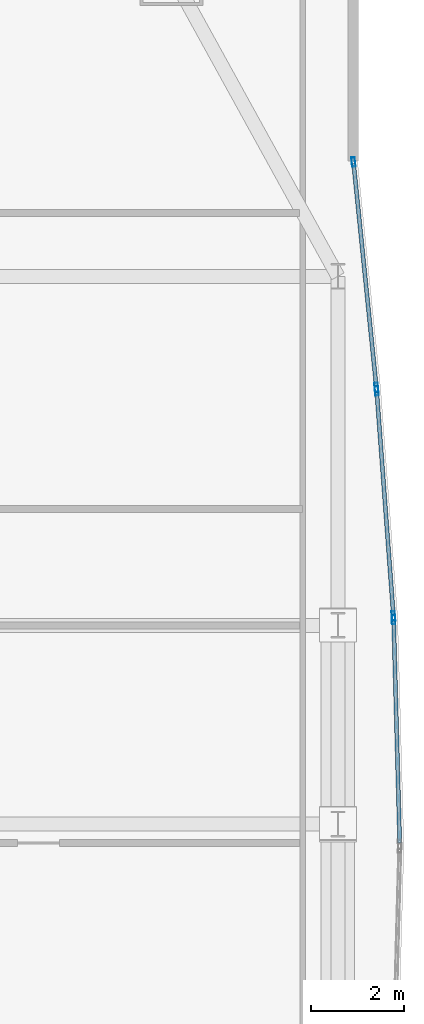
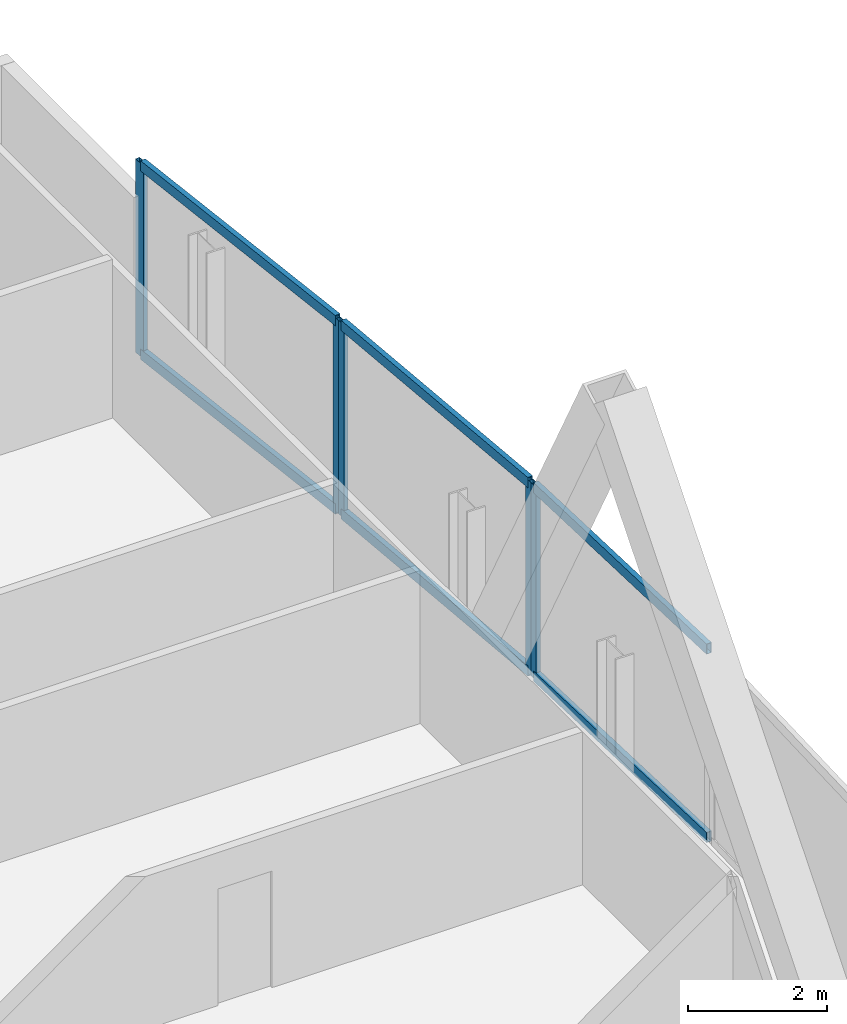
# One storey, part 22 of 29: 11 members, 3 elements without a shape of their own.
"""IFC4 building model written with IfcOpenShell, lengths in metres."""

from ifc_helpers import new_model, si_unit, direction, frame, origin, origin_2d, place, context, subcontext, project, spatial, hollow_rectangle, extrude, material, material_profile, profile_set, type_object, element, aggregate, save


model = new_model("IFC4")

# Units and contexts
model_context = context("Model", 3, precision=1e-05, world=origin(), true_north=direction((0.0, 1.0)))
body_context = subcontext(model_context, "Body", "Model", "MODEL_VIEW")
ifc_project = project(units=[si_unit("LENGTHUNIT", "METRE"), si_unit("AREAUNIT", "SQUARE_METRE"), si_unit("VOLUMEUNIT", "CUBIC_METRE"), si_unit("PLANEANGLEUNIT", "RADIAN"), si_unit("MASSUNIT", "GRAM", prefix="KILO")], contexts=[model_context])

# Site, building, storey
site_placement = place(None, origin())
site = spatial("IfcSite", under=ifc_project, at=site_placement, CompositionType="ELEMENT")
building_placement = place(site_placement, origin())
building = spatial("IfcBuilding", under=site, at=building_placement, Name="Khoronbel Lancet Exchange", CompositionType="ELEMENT")
storey_placement = place(building_placement, frame((0.0, 0.0, 180.60009765625)))
storey = spatial("IfcBuildingStorey", under=building, at=storey_placement, Name="L45", CompositionType="ELEMENT", Elevation=180.60009765625)

# Curtain wall, members
ifc_material_1 = material(Name="Low-E Solar Control Insulating Glass", Category="glass")
curtain_wall_type = type_object("IfcCurtainWallType", Name="CW-4", PredefinedType="NOTDEFINED", material=ifc_material_1)
curtain_wall_1_placement = place(storey_placement, origin())
curtain_wall_1 = element("IfcCurtainWall", 1, at=curtain_wall_1_placement, inside=storey, type_object=curtain_wall_type, Name="Unitised curtain wall CW-L45-E17", PredefinedType="NOTDEFINED")
ifc_material_2 = material(Name="Bronze-Anodised Aluminium 6063-T6", Category="aluminium")
ifc_material_profile_1 = material_profile(ifc_material_2, hollow_rectangle(XDim=0.074951171875, YDim=0.199951171875, WallThickness=0.0048828125, at=origin_2d()), Name="ALU MULLION 75x200")
ifc_profile_set_1 = profile_set([ifc_material_profile_1], Name="Bronze-Anodised Aluminium 6063-T6")
member_type_1 = type_object("IfcMemberType", Name="MEM-CWM2", PredefinedType="MULLION", material=ifc_profile_set_1)
member_1_placement = place(storey_placement, frame((67.9638671875, 45.658203125, 0.0), z_axis=(0.0, 0.0, 1.0), x_axis=(0.994869630688, 0.101165300055, 0.0)))
member_1 = element("IfcMember", 2, at=member_1_placement, type_object=member_type_1, Name="CW4 mullion 1", PredefinedType="MULLION", context=body_context, shape_type="SweptSolid", body=[
    extrude(hollow_rectangle(XDim=0.074951171875, YDim=0.199951171875, WallThickness=0.0048828125, at=origin_2d()), origin(), (0.0, 0.0, 1.0), 3.39990234375),
])
member_2_placement = place(storey_placement, frame((68.45654296875, 40.812744140625, 0.0), z_axis=(0.0, 0.0, 1.0), x_axis=(0.994869630688, 0.101165300055, 0.0)))
member_2 = element("IfcMember", 3, at=member_2_placement, type_object=member_type_1, Name="CW4 mullion 2", PredefinedType="MULLION", context=body_context, shape_type="SweptSolid", body=[
    extrude(hollow_rectangle(XDim=0.074951171875, YDim=0.199951171875, WallThickness=0.0048828125, at=origin_2d()), origin(), (0.0, 0.0, 1.0), 3.39990234375),
])

curtain_wall_2_placement = place(storey_placement, origin())
curtain_wall_2 = element("IfcCurtainWall", 4, at=curtain_wall_2_placement, inside=storey, type_object=curtain_wall_type, Name="Unitised curtain wall CW-L45-E18", PredefinedType="NOTDEFINED")
member_3_placement = place(storey_placement, frame((68.463134765625, 40.738037109375, 0.0), z_axis=(0.0, 0.0, 1.0), x_axis=(0.99723999443, 0.074245494873, 0.0)))
member_3 = element("IfcMember", 5, at=member_3_placement, type_object=member_type_1, Name="CW4 mullion 1", PredefinedType="MULLION", context=body_context, shape_type="SweptSolid", body=[
    extrude(hollow_rectangle(XDim=0.074951171875, YDim=0.199951171875, WallThickness=0.0048828125, at=origin_2d()), origin(), (0.0, 0.0, 1.0), 3.39990234375),
])
member_4_placement = place(storey_placement, frame((68.8232421875, 35.8994140625, 0.0), z_axis=(0.0, 0.0, 1.0), x_axis=(0.99723999443, 0.074245494873, 0.0)))
member_4 = element("IfcMember", 6, at=member_4_placement, type_object=member_type_1, Name="CW4 mullion 2", PredefinedType="MULLION", context=body_context, shape_type="SweptSolid", body=[
    extrude(hollow_rectangle(XDim=0.074951171875, YDim=0.199951171875, WallThickness=0.0048828125, at=origin_2d()), origin(), (0.0, 0.0, 1.0), 3.39990234375),
])

# Curtain wall, member
curtain_wall_3_placement = place(storey_placement, origin())
curtain_wall_3 = element("IfcCurtainWall", 7, at=curtain_wall_3_placement, inside=storey, type_object=curtain_wall_type, Name="Unitised curtain wall CW-L45-E19", PredefinedType="NOTDEFINED")
member_5_placement = place(storey_placement, frame((68.8271484375, 35.82470703125, 0.0), z_axis=(0.0, 0.0, 1.0), x_axis=(0.99962867447, 0.027249094987, 0.0)))
member_5 = element("IfcMember", 8, at=member_5_placement, type_object=member_type_1, Name="CW4 mullion 1", PredefinedType="MULLION", context=body_context, shape_type="SweptSolid", body=[
    extrude(hollow_rectangle(XDim=0.074951171875, YDim=0.199951171875, WallThickness=0.0048828125, at=origin_2d()), origin(), (0.0, 0.0, 1.0), 3.39990234375),
])

# Member
ifc_material_profile_2 = material_profile(ifc_material_2, hollow_rectangle(XDim=0.0849609375, YDim=0.179931640625, WallThickness=0.0048828125, at=origin_2d()), Name="ALU TRANSOM 85x180")
ifc_profile_set_2 = profile_set([ifc_material_profile_2], Name="Bronze-Anodised Aluminium 6063-T6")
member_type_2 = type_object("IfcMemberType", Name="MEM-CWT1", PredefinedType="USERDEFINED", material=ifc_profile_set_2)
member_6_placement = place(storey_placement, frame((67.967529296875, 45.620849609375, 0.04248046875), z_axis=(0.101161999035, -0.994869966353, 0.0), x_axis=(0.994869966353, 0.101161999035, 0.0)))
member_6 = element("IfcMember", 9, at=member_6_placement, type_object=member_type_2, Name="CW4 transom 1.1", ObjectType="TRANSOM", PredefinedType="USERDEFINED", context=body_context, shape_type="SweptSolid", body=[
    extrude(hollow_rectangle(XDim=0.0849609375, YDim=0.179931640625, WallThickness=0.0048828125, at=origin_2d()), origin(), (0.0, 0.0, 1.0), 4.79541015625),
])

member_7_placement = place(storey_placement, frame((67.967529296875, 45.620849609375, 3.357421875), z_axis=(0.101161999035, -0.994869966353, 0.0), x_axis=(0.994869966353, 0.101161999035, 0.0)))
member_7 = element("IfcMember", 10, at=member_7_placement, type_object=member_type_2, Name="CW4 transom 1.2", ObjectType="TRANSOM", PredefinedType="USERDEFINED", context=body_context, shape_type="SweptSolid", body=[
    extrude(hollow_rectangle(XDim=0.0849609375, YDim=0.179931640625, WallThickness=0.0048828125, at=origin_2d()), origin(), (0.0, 0.0, 1.0), 4.79541015625),
])

aggregate(curtain_wall_1, [member_1, member_2, member_6, member_7])

member_8_placement = place(storey_placement, frame((68.4658203125, 40.70068359375, 0.04248046875), z_axis=(0.074261377286, -0.997238811842, 0.0), x_axis=(0.997238811842, 0.074261377286, 0.0)))
member_8 = element("IfcMember", 11, at=member_8_placement, type_object=member_type_2, Name="CW4 transom 1.1", ObjectType="TRANSOM", PredefinedType="USERDEFINED", context=body_context, shape_type="SweptSolid", body=[
    extrude(hollow_rectangle(XDim=0.0849609375, YDim=0.179931640625, WallThickness=0.0048828125, at=origin_2d()), origin(), (0.0, 0.0, 1.0), 4.77685546875),
])

member_9_placement = place(storey_placement, frame((68.4658203125, 40.70068359375, 3.357421875), z_axis=(0.074261377286, -0.997238811842, 0.0), x_axis=(0.997238811842, 0.074261377286, 0.0)))
member_9 = element("IfcMember", 12, at=member_9_placement, type_object=member_type_2, Name="CW4 transom 1.2", ObjectType="TRANSOM", PredefinedType="USERDEFINED", context=body_context, shape_type="SweptSolid", body=[
    extrude(hollow_rectangle(XDim=0.0849609375, YDim=0.179931640625, WallThickness=0.0048828125, at=origin_2d()), origin(), (0.0, 0.0, 1.0), 4.77685546875),
])

aggregate(curtain_wall_2, [member_3, member_4, member_8, member_9])

member_10_placement = place(storey_placement, frame((68.828125, 35.787109375, 0.04248046875), z_axis=(0.027263521253, -0.999628281117, 0.0), x_axis=(0.999628281117, 0.027263521253, 0.0)))
member_10 = element("IfcMember", 13, at=member_10_placement, type_object=member_type_2, Name="CW4 transom 1.1", ObjectType="TRANSOM", PredefinedType="USERDEFINED", context=body_context, shape_type="SweptSolid", body=[
    extrude(hollow_rectangle(XDim=0.0849609375, YDim=0.179931640625, WallThickness=0.0048828125, at=origin_2d()), origin(), (0.0, 0.0, 1.0), 4.763916015625),
])

member_11_placement = place(storey_placement, frame((68.828125, 35.787109375, 3.357421875), z_axis=(0.027263521253, -0.999628281117, 0.0), x_axis=(0.999628281117, 0.027263521253, 0.0)))
member_11 = element("IfcMember", 14, at=member_11_placement, type_object=member_type_2, Name="CW4 transom 1.2", ObjectType="TRANSOM", PredefinedType="USERDEFINED", context=body_context, shape_type="SweptSolid", body=[
    extrude(hollow_rectangle(XDim=0.0849609375, YDim=0.179931640625, WallThickness=0.0048828125, at=origin_2d()), origin(), (0.0, 0.0, 1.0), 4.763916015625),
])

aggregate(curtain_wall_3, [member_5, member_10, member_11])

save(model, "model.ifc")
